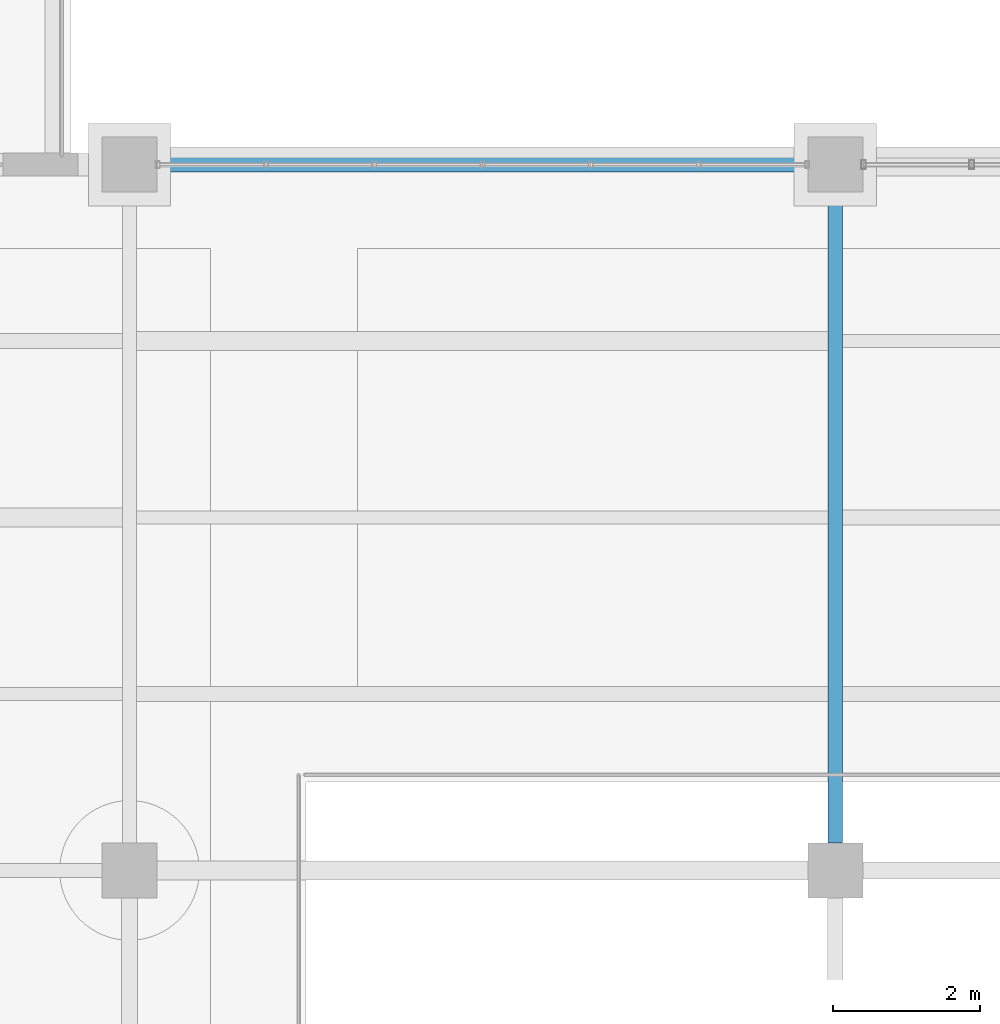
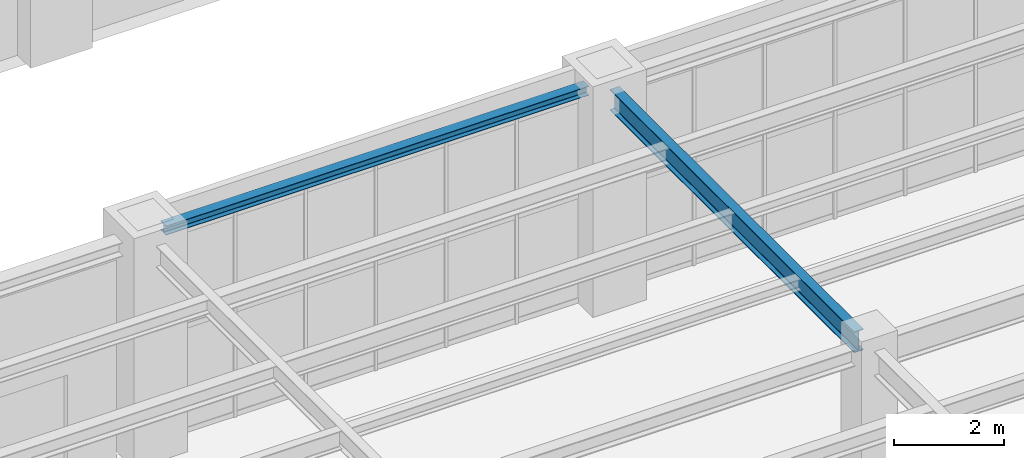
# One storey, part 21 of 174: 2 beams.
"""IFC4 building model written with IfcOpenShell, lengths in metres."""

from ifc_helpers import new_model, si_unit, direction, frame, origin, origin_2d, place, context, subcontext, project, spatial, i_section, extrude, material, material_profile, profile_set, type_object, element, save


model = new_model("IFC4")

# Units and contexts
model_context = context("Model", 3, precision=1e-05, world=origin(), true_north=direction((0.0, 1.0)))
body_context = subcontext(model_context, "Body", "Model", "MODEL_VIEW")
ifc_project = project(units=[si_unit("LENGTHUNIT", "METRE"), si_unit("AREAUNIT", "SQUARE_METRE"), si_unit("VOLUMEUNIT", "CUBIC_METRE"), si_unit("PLANEANGLEUNIT", "RADIAN"), si_unit("MASSUNIT", "GRAM", prefix="KILO")], contexts=[model_context])

# Site, building, storey
site_placement = place(None, origin())
site = spatial("IfcSite", under=ifc_project, at=site_placement, CompositionType="ELEMENT")
building_placement = place(site_placement, origin())
building = spatial("IfcBuilding", under=site, at=building_placement, Name="Mavantir Sound Aquarium", CompositionType="ELEMENT")
storey_placement = place(building_placement, frame((0.0, 0.0, 5.39990234375)))
storey = spatial("IfcBuildingStorey", under=building, at=storey_placement, Name="L01", CompositionType="ELEMENT", Elevation=5.39990234375)

# Beams
ifc_material = material(Name="Structural Steel ASTM A992 Gr50", Category="steel")
ifc_material_profile_1 = material_profile(ifc_material, i_section(OverallWidth=0.202880859375, OverallDepth=0.202880859375, WebThickness=0.007080078125, FlangeThickness=0.010986328125, FilletRadius=0.010009765625, at=origin_2d()), Name="W200X46")
ifc_profile_set_1 = profile_set([ifc_material_profile_1], Name="Structural Steel ASTM A992 Gr50")
beam_type_1 = type_object("IfcBeamType", Name="BM-W200X46-E", PredefinedType="LINTEL", material=ifc_profile_set_1)
beam_1_placement = place(storey_placement, frame((19.574951171875, 28.800048828125, 4.674560546875), z_axis=(1.0, 0.0, 0.0), x_axis=(0.0, 1.0, 0.0)))
element("IfcBeam", 1, at=beam_1_placement, inside=storey, type_object=beam_type_1, Name="L01 primary beam SL-20 1220", PredefinedType="LINTEL", context=body_context, shape_type="SweptSolid", body=[
    extrude(i_section(OverallWidth=0.202880859375, OverallDepth=0.202880859375, WebThickness=0.007080078125, FlangeThickness=0.010986328125, FilletRadius=0.010009765625, at=origin_2d()), origin(), (0.0, 0.0, 1.0), 8.85009765625),
])
ifc_material_profile_2 = material_profile(ifc_material, i_section(OverallWidth=0.194091796875, OverallDepth=0.468994140625, WebThickness=0.0126953125, FlangeThickness=0.0205078125, FilletRadius=0.01611328125, at=origin_2d()), Name="W460X106")
ifc_profile_set_2 = profile_set([ifc_material_profile_2], Name="Structural Steel ASTM A992 Gr50")
beam_type_2 = type_object("IfcBeamType", Name="BM-W460X106-I", PredefinedType="BEAM", material=ifc_profile_set_2)
beam_2_placement = place(storey_placement, frame((28.800048828125, 19.574951171875, 4.54150390625), z_axis=(0.0, 1.0, 0.0), x_axis=(-1.0, 0.0, 0.0)))
element("IfcBeam", 2, at=beam_2_placement, inside=storey, type_object=beam_type_2, Name="L01 primary girder SB-46 1233", PredefinedType="BEAM", context=body_context, shape_type="SweptSolid", body=[
    extrude(i_section(OverallWidth=0.194091796875, OverallDepth=0.468994140625, WebThickness=0.0126953125, FlangeThickness=0.0205078125, FilletRadius=0.01611328125, at=origin_2d()), origin(), (0.0, 0.0, 1.0), 8.85009765625),
])

save(model, "model.ifc")
